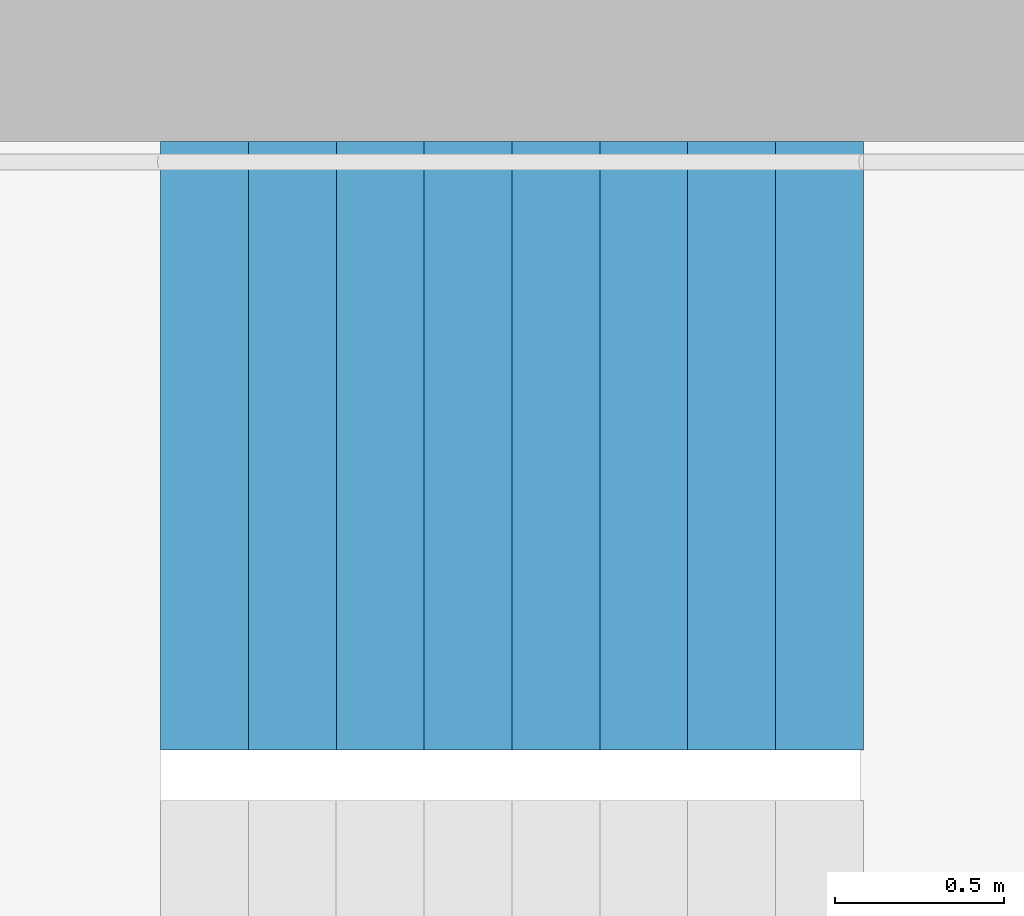
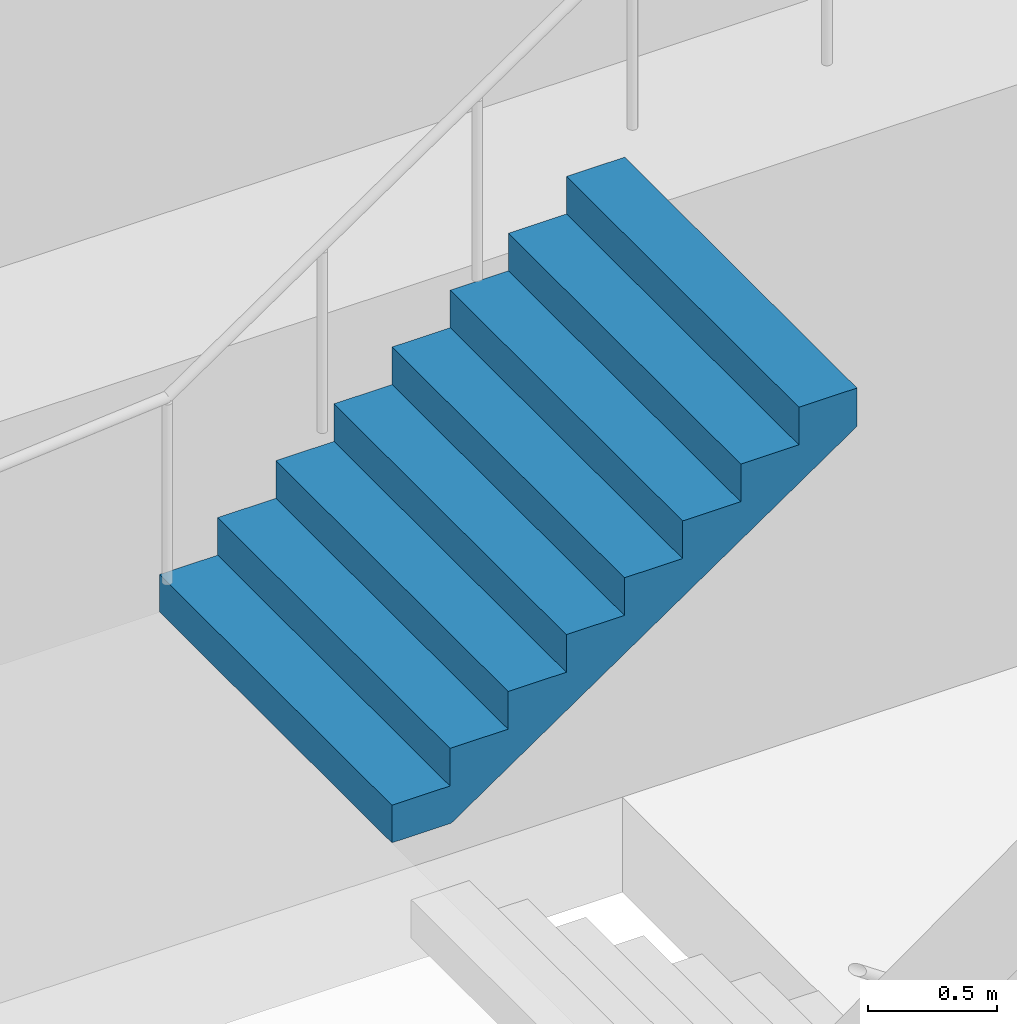
# One storey, part 25 of 26: 1 stair flight, 1 element without a shape of its own.
"""IFC4 building model written with IfcOpenShell, lengths in metres."""

import ifcopenshell
import ifcopenshell.guid

model = None  # the IFC model being written
_history = None  # IfcOwnerHistory: only IFC2X3 demands one
_inside = {}  # id of a spatial element -> (the spatial element, [elements in it])
_under = {}  # id of a project, library or spatial element -> (it, [spatial elements below it])
_declared = {}  # id of a project -> (the project, [libraries it declares])
_typed = {}  # id of a type object -> (the type object, [elements of that type])
_made_of = {}  # id of a material, layer set ... -> (it, [elements and type objects made of it])


def new_model(schema):
    """Start an empty IFC model of exactly this schema.

    Asked for "IFC4X3", IfcOpenShell would pick the latest addendum, in which some entities
    have other attributes; the version numbers below select the first issue.
    IFC2X3 requires an IfcOwnerHistory on every rooted entity: one is made here for all.
    """
    global model, _history
    if schema == "IFC4X3":
        model = ifcopenshell.file(schema_version=(4, 3, 0, 0))
    else:
        model = ifcopenshell.file(schema=schema)
    _inside.clear()
    _under.clear()
    _declared.clear()
    _typed.clear()
    _made_of.clear()
    _history = None
    if model.schema == "IFC2X3":
        org = make("IfcOrganization", Name="unknown")
        user = make(
            "IfcPersonAndOrganization",
            ThePerson=make("IfcPerson", FamilyName="unknown"),
            TheOrganization=org,
        )
        app = make(
            "IfcApplication",
            ApplicationDeveloper=org,
            Version="unknown",
            ApplicationFullName="unknown",
            ApplicationIdentifier="unknown",
        )
        _history = make(
            "IfcOwnerHistory",
            OwningUser=user,
            OwningApplication=app,
            ChangeAction="ADDED",
            CreationDate=0,
        )
    return model


def make(cls, **values):
    """One entity of the class cls with the attributes given. An attribute that is None is left unset."""
    return model.create_entity(
        cls, **{name: value for name, value in values.items() if value is not None}
    )


def rooted(cls, **values):
    """An entity with a GlobalId (a new one), such as an element, a storey or a relation."""
    return make(cls, GlobalId=ifcopenshell.guid.new(), OwnerHistory=_history, **values)


def si_unit(unit_type, name, prefix=None):
    """IfcSIUnit, for example si_unit("LENGTHUNIT", "METRE", prefix="MILLI")."""
    return make("IfcSIUnit", UnitType=unit_type, Prefix=prefix, Name=name)


def assignment(units):
    """IfcUnitAssignment: the units of a project."""
    return None if units is None else make("IfcUnitAssignment", Units=units)


def point(xyz):
    """IfcCartesianPoint."""
    return None if xyz is None else make("IfcCartesianPoint", Coordinates=xyz)


def direction(xyz):
    """IfcDirection."""
    return None if xyz is None else make("IfcDirection", DirectionRatios=xyz)


def frame(location, z_axis=None, x_axis=None):
    """IfcAxis2Placement3D, a coordinate frame: its origin and axes. An axis left out is left unset."""
    return make(
        "IfcAxis2Placement3D",
        Location=point(location),
        Axis=direction(z_axis),
        RefDirection=direction(x_axis),
    )


def origin():
    """The frame at (0, 0, 0) with its axes left unset."""
    return frame((0.0, 0.0, 0.0))


def place(relative_to, where):
    """IfcLocalPlacement: puts the frame where relative to a parent placement (None: the world)."""
    return make(
        "IfcLocalPlacement", PlacementRelTo=relative_to, RelativePlacement=where
    )


def context(
    kind, dimensions, precision=None, world=None, true_north=None, identifier=None
):
    """IfcGeometricRepresentationContext, for example the 3D "Model" context."""
    return make(
        "IfcGeometricRepresentationContext",
        ContextIdentifier=identifier,
        ContextType=kind,
        CoordinateSpaceDimension=dimensions,
        Precision=precision,
        WorldCoordinateSystem=world,
        TrueNorth=true_north,
    )


def subcontext(parent, identifier, kind, view, scale=None):
    """IfcGeometricRepresentationSubContext, for example "Body" below "Model"."""
    return make(
        "IfcGeometricRepresentationSubContext",
        ContextIdentifier=identifier,
        ContextType=kind,
        ParentContext=parent,
        TargetScale=scale,
        TargetView=view,
    )


def project(units=None, contexts=None):
    """IfcProject with its units and contexts."""
    return rooted(
        "IfcProject",
        Name="project",
        RepresentationContexts=contexts,
        UnitsInContext=assignment(units),
    )


def spatial(cls, under=None, at=None, **own):
    """A site, building, storey or space (cls), placed at a placement, below another one or the project."""
    s = rooted(cls, ObjectPlacement=at, **own)
    if under is not None:
        _under.setdefault(under.id(), (under, []))[1].append(s)
    return s


def point_list(points):
    """IfcCartesianPointList2D or 3D."""
    cls = (
        "IfcCartesianPointList2D" if len(points[0]) == 2 else "IfcCartesianPointList3D"
    )
    return make(cls, CoordList=points)


def triangles(points, corners, closed=None, point_numbers=None):
    """IfcTriangulatedFaceSet: each triangle names its three corners, points numbered from 1."""
    return make(
        "IfcTriangulatedFaceSet",
        Coordinates=point_list(points),
        Closed=closed,
        CoordIndex=corners,
        PnIndex=point_numbers,
    )


def shape(context_of_items, identifier, shape_type, items):
    """IfcShapeRepresentation: the items that make up one representation, for example the "Body"."""
    return make(
        "IfcShapeRepresentation",
        ContextOfItems=context_of_items,
        RepresentationIdentifier=identifier,
        RepresentationType=shape_type,
        Items=items,
    )


def material(Name=None, Category=None):
    """IfcMaterial."""
    return make("IfcMaterial", Name=Name, Category=Category)


def made_of(thing, what):
    """Note that an element or type object is made of a material, layer set ...; save() writes the relation."""
    if what is not None:
        _made_of.setdefault(what.id(), (what, []))[1].append(thing)
    return thing


def type_object(cls, material=None, **own):
    """A type object (cls), such as IfcWallType, which elements share."""
    return made_of(rooted(cls, **own), material)


def element(
    cls,
    number,
    at=None,
    inside=None,
    cuts=None,
    type_object=None,
    material=None,
    context=None,
    identifier="Body",
    shape_type=None,
    held_by="IfcProductDefinitionShape",
    body=None,
    shapes=None,
    **own,
):
    """One element of the class cls, such as IfcWall. Its Tag is "e" and its number.

    at: its placement. inside: the storey or other place that contains it. cuts: it is an
    opening in that element (IfcRelVoidsElement). A single representation is given by context,
    identifier, shape_type and body (its items); several are given by shapes. held_by: the class
    of the entity that holds the representations. save() writes the other relations.
    """
    e = rooted(cls, Tag="e%d" % number, ObjectPlacement=at, **own)
    if body is not None:
        shapes = [shape(context, identifier, shape_type, body)]
    if shapes is not None:
        e.Representation = make(held_by, Representations=shapes)
    if inside is not None:
        _inside.setdefault(inside.id(), (inside, []))[1].append(e)
    if cuts is not None:
        rooted(
            "IfcRelVoidsElement", RelatingBuildingElement=cuts, RelatedOpeningElement=e
        )
    if type_object is not None:
        _typed.setdefault(type_object.id(), (type_object, []))[1].append(e)
    return made_of(e, material)


def aggregate(whole, parts):
    """IfcRelAggregates: a whole, such as a stair, and the parts it consists of."""
    return rooted("IfcRelAggregates", RelatingObject=whole, RelatedObjects=parts)


def save(model, path):
    """Write the relations noted so far, then the file.

    IfcRelAggregates (storeys below a building ...), IfcRelContainedInSpatialStructure (elements
    in a storey), IfcRelDefinesByType, IfcRelAssociatesMaterial and IfcRelDeclares: one each for
    every whole, place, type object, material and project.
    """
    for whole, parts in _under.values():
        aggregate(whole, parts)
    for where, things in _inside.values():
        rooted(
            "IfcRelContainedInSpatialStructure",
            RelatedElements=things,
            RelatingStructure=where,
        )
    for kind, things in _typed.values():
        rooted("IfcRelDefinesByType", RelatedObjects=things, RelatingType=kind)
    for what, things in _made_of.values():
        rooted("IfcRelAssociatesMaterial", RelatedObjects=things, RelatingMaterial=what)
    for by, libraries in _declared.values():
        rooted("IfcRelDeclares", RelatingContext=by, RelatedDefinitions=libraries)
    model.write(path)


model = new_model("IFC4")

# Units and contexts
model_context = context("Model", 3, precision=1e-05, world=origin(), true_north=direction((0.0, 1.0)))
body_context = subcontext(model_context, "Body", "Model", "MODEL_VIEW")
ifc_project = project(units=[si_unit("LENGTHUNIT", "METRE"), si_unit("AREAUNIT", "SQUARE_METRE"), si_unit("VOLUMEUNIT", "CUBIC_METRE"), si_unit("PLANEANGLEUNIT", "RADIAN"), si_unit("MASSUNIT", "GRAM", prefix="KILO")], contexts=[model_context])

# Site, building, storey
site_placement = place(None, origin())
site = spatial("IfcSite", under=ifc_project, at=site_placement, CompositionType="ELEMENT")
building_placement = place(site_placement, origin())
building = spatial("IfcBuilding", under=site, at=building_placement, Name="Hakoniwa Tower and Hamabe Station Hall", CompositionType="ELEMENT")
storey_placement = place(building_placement, frame((0.0, 0.0, 189.800048828125)))
storey = spatial("IfcBuildingStorey", under=building, at=storey_placement, Name="L53", CompositionType="ELEMENT", Elevation=189.800048828125)

# Stair, stair flight
ifc_material_1 = material(Name="Concrete C40", Category="concrete")
stair_type = type_object("IfcStairType", Name="ESCAPE STAIR 1800", PredefinedType="HALF_TURN_STAIR", material=ifc_material_1)
stair_placement = place(storey_placement, origin())
stair = element("IfcStair", 1, at=stair_placement, inside=storey, type_object=stair_type, Name="Escape stair ST-3 L53", PredefinedType="HALF_TURN_STAIR")
ifc_material_2 = material(Name="Concrete C40", Category="concrete")
stair_flight_type = type_object("IfcStairFlightType", Name="STAIR FLIGHT 1800", PredefinedType="STRAIGHT", material=ifc_material_2)
stair_flight_placement = place(storey_placement, frame((22.320068359375, 6.60009765625, 1.599853515625), z_axis=(0.0, 0.0, 1.0), x_axis=(1.0, 0.0, 0.0)))
stair_flight = element("IfcStairFlight", 2, at=stair_flight_placement, type_object=stair_flight_type, Name="ST-3 flight 2", NumberOfRisers=9, NumberOfTreads=8, PredefinedType="STRAIGHT", RiserHeight=0.177777778, TreadLength=0.26, context=body_context, shape_type="Tessellation", body=[
    triangles([(0.0, 0.89990234375, 0.0), (0.260009765625, 0.89990234375, 0.0), (0.265625, 0.89990234375, 0.0), (0.52001953125, 0.89990234375, 0.174072265625), (0.780029296875, 0.89990234375, 0.351806640625), (1.0400390625, 0.89990234375, 0.529541015625), (1.300048828125, 0.89990234375, 0.707275390625), (1.56005859375, 0.89990234375, 0.885009765625), (1.820068359375, 0.89990234375, 1.062744140625), (2.080078125, 0.89990234375, 1.24072265625), (2.080078125, 0.89990234375, 1.422119140625), (1.820068359375, 0.89990234375, 1.422119140625), (1.820068359375, 0.89990234375, 1.244384765625), (1.56005859375, 0.89990234375, 1.244384765625), (1.56005859375, 0.89990234375, 1.066650390625), (1.300048828125, 0.89990234375, 1.066650390625), (1.300048828125, 0.89990234375, 0.888916015625), (1.0400390625, 0.89990234375, 0.888916015625), (1.0400390625, 0.89990234375, 0.711181640625), (0.780029296875, 0.89990234375, 0.711181640625), (0.780029296875, 0.89990234375, 0.533447265625), (0.52001953125, 0.89990234375, 0.533447265625), (0.52001953125, 0.89990234375, 0.35546875), (0.265625, 0.89990234375, 0.35546875), (0.260009765625, 0.89990234375, 0.35546875), (0.260009765625, 0.89990234375, 0.177734375), (0.0, 0.89990234375, 0.177734375), (0.0, 0.06005859375, 0.0), (0.260009765625, 0.06005859375, 0.0), (0.265625, 0.06005859375, 0.0), (0.52001953125, 0.06005859375, 0.174072265625), (0.780029296875, 0.06005859375, 0.351806640625), (1.0400390625, 0.06005859375, 0.529541015625), (1.300048828125, 0.06005859375, 0.707275390625), (1.56005859375, 0.06005859375, 0.885009765625), (1.820068359375, 0.06005859375, 1.062744140625), (2.080078125, 0.06005859375, 1.24072265625), (2.080078125, 0.06005859375, 1.422119140625), (1.820068359375, 0.06005859375, 1.422119140625), (1.820068359375, 0.06005859375, 1.244384765625), (1.56005859375, 0.06005859375, 1.244384765625), (1.56005859375, 0.06005859375, 1.066650390625), (1.300048828125, 0.06005859375, 1.066650390625), (1.300048828125, 0.06005859375, 0.888916015625), (1.0400390625, 0.06005859375, 0.888916015625), (1.0400390625, 0.06005859375, 0.711181640625), (0.780029296875, 0.06005859375, 0.711181640625), (0.780029296875, 0.06005859375, 0.533447265625), (0.52001953125, 0.06005859375, 0.533447265625), (0.52001953125, 0.06005859375, 0.35546875), (0.265625, 0.06005859375, 0.35546875), (0.260009765625, 0.06005859375, 0.35546875), (0.260009765625, 0.06005859375, 0.177734375), (0.0, 0.06005859375, 0.177734375), (0.0, 0.04296875, 0.0), (0.260009765625, 0.04296875, 0.0), (0.265625, 0.04296875, 0.0), (0.52001953125, 0.04296875, 0.174072265625), (0.780029296875, 0.04296875, 0.351806640625), (1.0400390625, 0.04296875, 0.529541015625), (1.300048828125, 0.04296875, 0.707275390625), (1.56005859375, 0.04296875, 0.885009765625), (1.820068359375, 0.04296875, 1.062744140625), (2.080078125, 0.04296875, 1.24072265625), (2.080078125, 0.04296875, 1.422119140625), (1.820068359375, 0.04296875, 1.422119140625), (1.820068359375, 0.04296875, 1.244384765625), (1.56005859375, 0.04296875, 1.244384765625), (1.56005859375, 0.04296875, 1.066650390625), (1.300048828125, 0.04296875, 1.066650390625), (1.300048828125, 0.04296875, 0.888916015625), (1.0400390625, 0.04296875, 0.888916015625), (1.0400390625, 0.04296875, 0.711181640625), (0.780029296875, 0.04296875, 0.711181640625), (0.780029296875, 0.04296875, 0.533447265625), (0.52001953125, 0.04296875, 0.533447265625), (0.52001953125, 0.04296875, 0.35546875), (0.265625, 0.04296875, 0.35546875), (0.260009765625, 0.04296875, 0.35546875), (0.260009765625, 0.04296875, 0.177734375), (0.0, 0.04296875, 0.177734375), (0.0, 0.025634765625, 0.0), (0.260009765625, 0.025634765625, 0.0), (0.265625, 0.025634765625, 0.0), (0.52001953125, 0.025634765625, 0.174072265625), (0.780029296875, 0.025634765625, 0.351806640625), (1.0400390625, 0.025634765625, 0.529541015625), (1.300048828125, 0.025634765625, 0.707275390625), (1.56005859375, 0.025634765625, 0.885009765625), (1.820068359375, 0.025634765625, 1.062744140625), (2.080078125, 0.025634765625, 1.24072265625), (2.080078125, 0.025634765625, 1.422119140625), (1.820068359375, 0.025634765625, 1.422119140625), (1.820068359375, 0.025634765625, 1.244384765625), (1.56005859375, 0.025634765625, 1.244384765625), (1.56005859375, 0.025634765625, 1.066650390625), (1.300048828125, 0.025634765625, 1.066650390625), (1.300048828125, 0.025634765625, 0.888916015625), (1.0400390625, 0.025634765625, 0.888916015625), (1.0400390625, 0.025634765625, 0.711181640625), (0.780029296875, 0.025634765625, 0.711181640625), (0.780029296875, 0.025634765625, 0.533447265625), (0.52001953125, 0.025634765625, 0.533447265625), (0.52001953125, 0.025634765625, 0.35546875), (0.265625, 0.025634765625, 0.35546875), (0.260009765625, 0.025634765625, 0.35546875), (0.260009765625, 0.025634765625, 0.177734375), (0.0, 0.025634765625, 0.177734375), (0.0, 0.008544921875, 0.0), (0.260009765625, 0.008544921875, 0.0), (0.265625, 0.008544921875, 0.0), (0.52001953125, 0.008544921875, 0.174072265625), (0.780029296875, 0.008544921875, 0.351806640625), (1.0400390625, 0.008544921875, 0.529541015625), (1.300048828125, 0.008544921875, 0.707275390625), (1.56005859375, 0.008544921875, 0.885009765625), (1.820068359375, 0.008544921875, 1.062744140625), (2.080078125, 0.008544921875, 1.24072265625), (2.080078125, 0.008544921875, 1.422119140625), (1.820068359375, 0.008544921875, 1.422119140625), (1.820068359375, 0.008544921875, 1.244384765625), (1.56005859375, 0.008544921875, 1.244384765625), (1.56005859375, 0.008544921875, 1.066650390625), (1.300048828125, 0.008544921875, 1.066650390625), (1.300048828125, 0.008544921875, 0.888916015625), (1.0400390625, 0.008544921875, 0.888916015625), (1.0400390625, 0.008544921875, 0.711181640625), (0.780029296875, 0.008544921875, 0.711181640625), (0.780029296875, 0.008544921875, 0.533447265625), (0.52001953125, 0.008544921875, 0.533447265625), (0.52001953125, 0.008544921875, 0.35546875), (0.265625, 0.008544921875, 0.35546875), (0.260009765625, 0.008544921875, 0.35546875), (0.260009765625, 0.008544921875, 0.177734375), (0.0, 0.008544921875, 0.177734375), (0.0, -0.008544921875, 0.0), (0.260009765625, -0.008544921875, 0.0), (0.265625, -0.008544921875, 0.0), (0.52001953125, -0.008544921875, 0.174072265625), (0.780029296875, -0.008544921875, 0.351806640625), (1.0400390625, -0.008544921875, 0.529541015625), (1.300048828125, -0.008544921875, 0.707275390625), (1.56005859375, -0.008544921875, 0.885009765625), (1.820068359375, -0.008544921875, 1.062744140625), (2.080078125, -0.008544921875, 1.24072265625), (2.080078125, -0.008544921875, 1.422119140625), (1.820068359375, -0.008544921875, 1.422119140625), (1.820068359375, -0.008544921875, 1.244384765625), (1.56005859375, -0.008544921875, 1.244384765625), (1.56005859375, -0.008544921875, 1.066650390625), (1.300048828125, -0.008544921875, 1.066650390625), (1.300048828125, -0.008544921875, 0.888916015625), (1.0400390625, -0.008544921875, 0.888916015625), (1.0400390625, -0.008544921875, 0.711181640625), (0.780029296875, -0.008544921875, 0.711181640625), (0.780029296875, -0.008544921875, 0.533447265625), (0.52001953125, -0.008544921875, 0.533447265625), (0.52001953125, -0.008544921875, 0.35546875), (0.265625, -0.008544921875, 0.35546875), (0.260009765625, -0.008544921875, 0.35546875), (0.260009765625, -0.008544921875, 0.177734375), (0.0, -0.008544921875, 0.177734375), (0.0, -0.025634765625, 0.0), (0.260009765625, -0.025634765625, 0.0), (0.265625, -0.025634765625, 0.0), (0.52001953125, -0.025634765625, 0.174072265625), (0.780029296875, -0.025634765625, 0.351806640625), (1.0400390625, -0.025634765625, 0.529541015625), (1.300048828125, -0.025634765625, 0.707275390625), (1.56005859375, -0.025634765625, 0.885009765625), (1.820068359375, -0.025634765625, 1.062744140625), (2.080078125, -0.025634765625, 1.24072265625), (2.080078125, -0.025634765625, 1.422119140625), (1.820068359375, -0.025634765625, 1.422119140625), (1.820068359375, -0.025634765625, 1.244384765625), (1.56005859375, -0.025634765625, 1.244384765625), (1.56005859375, -0.025634765625, 1.066650390625), (1.300048828125, -0.025634765625, 1.066650390625), (1.300048828125, -0.025634765625, 0.888916015625), (1.0400390625, -0.025634765625, 0.888916015625), (1.0400390625, -0.025634765625, 0.711181640625), (0.780029296875, -0.025634765625, 0.711181640625), (0.780029296875, -0.025634765625, 0.533447265625), (0.52001953125, -0.025634765625, 0.533447265625), (0.52001953125, -0.025634765625, 0.35546875), (0.265625, -0.025634765625, 0.35546875), (0.260009765625, -0.025634765625, 0.35546875), (0.260009765625, -0.025634765625, 0.177734375), (0.0, -0.025634765625, 0.177734375), (0.0, -0.04296875, 0.0), (0.260009765625, -0.04296875, 0.0), (0.265625, -0.04296875, 0.0), (0.52001953125, -0.04296875, 0.174072265625), (0.780029296875, -0.04296875, 0.351806640625), (1.0400390625, -0.04296875, 0.529541015625), (1.300048828125, -0.04296875, 0.707275390625), (1.56005859375, -0.04296875, 0.885009765625), (1.820068359375, -0.04296875, 1.062744140625), (2.080078125, -0.04296875, 1.24072265625), (2.080078125, -0.04296875, 1.422119140625), (1.820068359375, -0.04296875, 1.422119140625), (1.820068359375, -0.04296875, 1.244384765625), (1.56005859375, -0.04296875, 1.244384765625), (1.56005859375, -0.04296875, 1.066650390625), (1.300048828125, -0.04296875, 1.066650390625), (1.300048828125, -0.04296875, 0.888916015625), (1.0400390625, -0.04296875, 0.888916015625), (1.0400390625, -0.04296875, 0.711181640625), (0.780029296875, -0.04296875, 0.711181640625), (0.780029296875, -0.04296875, 0.533447265625), (0.52001953125, -0.04296875, 0.533447265625), (0.52001953125, -0.04296875, 0.35546875), (0.265625, -0.04296875, 0.35546875), (0.260009765625, -0.04296875, 0.35546875), (0.260009765625, -0.04296875, 0.177734375), (0.0, -0.04296875, 0.177734375), (0.0, -0.06005859375, 0.0), (0.260009765625, -0.06005859375, 0.0), (0.265625, -0.06005859375, 0.0), (0.52001953125, -0.06005859375, 0.174072265625), (0.780029296875, -0.06005859375, 0.351806640625), (1.0400390625, -0.06005859375, 0.529541015625), (1.300048828125, -0.06005859375, 0.707275390625), (1.56005859375, -0.06005859375, 0.885009765625), (1.820068359375, -0.06005859375, 1.062744140625), (2.080078125, -0.06005859375, 1.24072265625), (2.080078125, -0.06005859375, 1.422119140625), (1.820068359375, -0.06005859375, 1.422119140625), (1.820068359375, -0.06005859375, 1.244384765625), (1.56005859375, -0.06005859375, 1.244384765625), (1.56005859375, -0.06005859375, 1.066650390625), (1.300048828125, -0.06005859375, 1.066650390625), (1.300048828125, -0.06005859375, 0.888916015625), (1.0400390625, -0.06005859375, 0.888916015625), (1.0400390625, -0.06005859375, 0.711181640625), (0.780029296875, -0.06005859375, 0.711181640625), (0.780029296875, -0.06005859375, 0.533447265625), (0.52001953125, -0.06005859375, 0.533447265625), (0.52001953125, -0.06005859375, 0.35546875), (0.265625, -0.06005859375, 0.35546875), (0.260009765625, -0.06005859375, 0.35546875), (0.260009765625, -0.06005859375, 0.177734375), (0.0, -0.06005859375, 0.177734375), (0.0, -0.89990234375, 0.0), (0.260009765625, -0.89990234375, 0.0), (0.265625, -0.89990234375, 0.0), (0.52001953125, -0.89990234375, 0.174072265625), (0.780029296875, -0.89990234375, 0.351806640625), (1.0400390625, -0.89990234375, 0.529541015625), (1.300048828125, -0.89990234375, 0.707275390625), (1.56005859375, -0.89990234375, 0.885009765625), (1.820068359375, -0.89990234375, 1.062744140625), (2.080078125, -0.89990234375, 1.24072265625), (2.080078125, -0.89990234375, 1.422119140625), (1.820068359375, -0.89990234375, 1.422119140625), (1.820068359375, -0.89990234375, 1.244384765625), (1.56005859375, -0.89990234375, 1.244384765625), (1.56005859375, -0.89990234375, 1.066650390625), (1.300048828125, -0.89990234375, 1.066650390625), (1.300048828125, -0.89990234375, 0.888916015625), (1.0400390625, -0.89990234375, 0.888916015625), (1.0400390625, -0.89990234375, 0.711181640625), (0.780029296875, -0.89990234375, 0.711181640625), (0.780029296875, -0.89990234375, 0.533447265625), (0.52001953125, -0.89990234375, 0.533447265625), (0.52001953125, -0.89990234375, 0.35546875), (0.265625, -0.89990234375, 0.35546875), (0.260009765625, -0.89990234375, 0.35546875), (0.260009765625, -0.89990234375, 0.177734375), (0.0, -0.89990234375, 0.177734375)], [[2, 27, 26], [245, 269, 270], [2, 1, 27], [245, 270, 244], [3, 25, 24], [246, 267, 268], [3, 26, 25], [246, 268, 269], [3, 2, 26], [246, 269, 245], [4, 24, 23], [247, 266, 267], [4, 3, 24], [247, 267, 246], [5, 22, 21], [248, 264, 265], [5, 23, 22], [248, 265, 266], [5, 4, 23], [248, 266, 247], [6, 20, 19], [249, 262, 263], [6, 21, 20], [249, 263, 264], [6, 5, 21], [249, 264, 248], [7, 18, 17], [250, 260, 261], [7, 19, 18], [250, 261, 262], [7, 6, 19], [250, 262, 249], [8, 16, 15], [251, 258, 259], [8, 17, 16], [251, 259, 260], [8, 7, 17], [251, 260, 250], [9, 14, 13], [252, 256, 257], [9, 15, 14], [252, 257, 258], [9, 8, 15], [252, 258, 251], [10, 12, 11], [253, 254, 255], [10, 13, 12], [253, 255, 256], [10, 9, 13], [253, 256, 252], [1, 2, 29], [1, 29, 28], [28, 29, 56], [28, 56, 55], [55, 56, 83], [55, 83, 82], [82, 83, 110], [82, 110, 109], [109, 110, 137], [109, 137, 136], [136, 137, 164], [136, 164, 163], [163, 164, 191], [163, 191, 190], [190, 191, 218], [190, 218, 217], [217, 218, 245], [217, 245, 244], [2, 3, 30], [2, 30, 29], [29, 30, 57], [29, 57, 56], [56, 57, 84], [56, 84, 83], [83, 84, 111], [83, 111, 110], [110, 111, 138], [110, 138, 137], [137, 138, 165], [137, 165, 164], [164, 165, 192], [164, 192, 191], [191, 192, 219], [191, 219, 218], [218, 219, 246], [218, 246, 245], [3, 4, 31], [3, 31, 30], [30, 31, 58], [30, 58, 57], [57, 58, 85], [57, 85, 84], [84, 85, 112], [84, 112, 111], [111, 112, 139], [111, 139, 138], [138, 139, 166], [138, 166, 165], [165, 166, 193], [165, 193, 192], [192, 193, 220], [192, 220, 219], [219, 220, 247], [219, 247, 246], [4, 5, 32], [4, 32, 31], [31, 32, 59], [31, 59, 58], [58, 59, 86], [58, 86, 85], [85, 86, 113], [85, 113, 112], [112, 113, 140], [112, 140, 139], [139, 140, 167], [139, 167, 166], [166, 167, 194], [166, 194, 193], [193, 194, 221], [193, 221, 220], [220, 221, 248], [220, 248, 247], [5, 6, 33], [5, 33, 32], [32, 33, 60], [32, 60, 59], [59, 60, 87], [59, 87, 86], [86, 87, 114], [86, 114, 113], [113, 114, 141], [113, 141, 140], [140, 141, 168], [140, 168, 167], [167, 168, 195], [167, 195, 194], [194, 195, 222], [194, 222, 221], [221, 222, 249], [221, 249, 248], [6, 7, 34], [6, 34, 33], [33, 34, 61], [33, 61, 60], [60, 61, 88], [60, 88, 87], [87, 88, 115], [87, 115, 114], [114, 115, 142], [114, 142, 141], [141, 142, 169], [141, 169, 168], [168, 169, 196], [168, 196, 195], [195, 196, 223], [195, 223, 222], [222, 223, 250], [222, 250, 249], [7, 8, 35], [7, 35, 34], [34, 35, 62], [34, 62, 61], [61, 62, 89], [61, 89, 88], [88, 89, 116], [88, 116, 115], [115, 116, 143], [115, 143, 142], [142, 143, 170], [142, 170, 169], [169, 170, 197], [169, 197, 196], [196, 197, 224], [196, 224, 223], [223, 224, 251], [223, 251, 250], [8, 9, 36], [8, 36, 35], [35, 36, 63], [35, 63, 62], [62, 63, 90], [62, 90, 89], [89, 90, 117], [89, 117, 116], [116, 117, 144], [116, 144, 143], [143, 144, 171], [143, 171, 170], [170, 171, 198], [170, 198, 197], [197, 198, 225], [197, 225, 224], [224, 225, 252], [224, 252, 251], [9, 10, 37], [9, 37, 36], [36, 37, 64], [36, 64, 63], [63, 64, 91], [63, 91, 90], [90, 91, 118], [90, 118, 117], [117, 118, 145], [117, 145, 144], [144, 145, 172], [144, 172, 171], [171, 172, 199], [171, 199, 198], [198, 199, 226], [198, 226, 225], [225, 226, 253], [225, 253, 252], [10, 11, 38], [10, 38, 37], [37, 38, 65], [37, 65, 64], [64, 65, 92], [64, 92, 91], [91, 92, 119], [91, 119, 118], [118, 119, 146], [118, 146, 145], [145, 146, 173], [145, 173, 172], [172, 173, 200], [172, 200, 199], [199, 200, 227], [199, 227, 226], [226, 227, 254], [226, 254, 253], [11, 12, 39], [11, 39, 38], [38, 39, 66], [38, 66, 65], [65, 66, 93], [65, 93, 92], [92, 93, 120], [92, 120, 119], [119, 120, 147], [119, 147, 146], [146, 147, 174], [146, 174, 173], [173, 174, 201], [173, 201, 200], [200, 201, 228], [200, 228, 227], [227, 228, 255], [227, 255, 254], [12, 13, 40], [12, 40, 39], [39, 40, 67], [39, 67, 66], [66, 67, 94], [66, 94, 93], [93, 94, 121], [93, 121, 120], [120, 121, 148], [120, 148, 147], [147, 148, 175], [147, 175, 174], [174, 175, 202], [174, 202, 201], [201, 202, 229], [201, 229, 228], [228, 229, 256], [228, 256, 255], [13, 14, 41], [13, 41, 40], [40, 41, 68], [40, 68, 67], [67, 68, 95], [67, 95, 94], [94, 95, 122], [94, 122, 121], [121, 122, 149], [121, 149, 148], [148, 149, 176], [148, 176, 175], [175, 176, 203], [175, 203, 202], [202, 203, 230], [202, 230, 229], [229, 230, 257], [229, 257, 256], [14, 15, 42], [14, 42, 41], [41, 42, 69], [41, 69, 68], [68, 69, 96], [68, 96, 95], [95, 96, 123], [95, 123, 122], [122, 123, 150], [122, 150, 149], [149, 150, 177], [149, 177, 176], [176, 177, 204], [176, 204, 203], [203, 204, 231], [203, 231, 230], [230, 231, 258], [230, 258, 257], [15, 16, 43], [15, 43, 42], [42, 43, 70], [42, 70, 69], [69, 70, 97], [69, 97, 96], [96, 97, 124], [96, 124, 123], [123, 124, 151], [123, 151, 150], [150, 151, 178], [150, 178, 177], [177, 178, 205], [177, 205, 204], [204, 205, 232], [204, 232, 231], [231, 232, 259], [231, 259, 258], [16, 17, 44], [16, 44, 43], [43, 44, 71], [43, 71, 70], [70, 71, 98], [70, 98, 97], [97, 98, 125], [97, 125, 124], [124, 125, 152], [124, 152, 151], [151, 152, 179], [151, 179, 178], [178, 179, 206], [178, 206, 205], [205, 206, 233], [205, 233, 232], [232, 233, 260], [232, 260, 259], [17, 18, 45], [17, 45, 44], [44, 45, 72], [44, 72, 71], [71, 72, 99], [71, 99, 98], [98, 99, 126], [98, 126, 125], [125, 126, 153], [125, 153, 152], [152, 153, 180], [152, 180, 179], [179, 180, 207], [179, 207, 206], [206, 207, 234], [206, 234, 233], [233, 234, 261], [233, 261, 260], [18, 19, 46], [18, 46, 45], [45, 46, 73], [45, 73, 72], [72, 73, 100], [72, 100, 99], [99, 100, 127], [99, 127, 126], [126, 127, 154], [126, 154, 153], [153, 154, 181], [153, 181, 180], [180, 181, 208], [180, 208, 207], [207, 208, 235], [207, 235, 234], [234, 235, 262], [234, 262, 261], [19, 20, 47], [19, 47, 46], [46, 47, 74], [46, 74, 73], [73, 74, 101], [73, 101, 100], [100, 101, 128], [100, 128, 127], [127, 128, 155], [127, 155, 154], [154, 155, 182], [154, 182, 181], [181, 182, 209], [181, 209, 208], [208, 209, 236], [208, 236, 235], [235, 236, 263], [235, 263, 262], [20, 21, 48], [20, 48, 47], [47, 48, 75], [47, 75, 74], [74, 75, 102], [74, 102, 101], [101, 102, 129], [101, 129, 128], [128, 129, 156], [128, 156, 155], [155, 156, 183], [155, 183, 182], [182, 183, 210], [182, 210, 209], [209, 210, 237], [209, 237, 236], [236, 237, 264], [236, 264, 263], [21, 22, 49], [21, 49, 48], [48, 49, 76], [48, 76, 75], [75, 76, 103], [75, 103, 102], [102, 103, 130], [102, 130, 129], [129, 130, 157], [129, 157, 156], [156, 157, 184], [156, 184, 183], [183, 184, 211], [183, 211, 210], [210, 211, 238], [210, 238, 237], [237, 238, 265], [237, 265, 264], [22, 23, 50], [22, 50, 49], [49, 50, 77], [49, 77, 76], [76, 77, 104], [76, 104, 103], [103, 104, 131], [103, 131, 130], [130, 131, 158], [130, 158, 157], [157, 158, 185], [157, 185, 184], [184, 185, 212], [184, 212, 211], [211, 212, 239], [211, 239, 238], [238, 239, 266], [238, 266, 265], [23, 24, 51], [23, 51, 50], [50, 51, 78], [50, 78, 77], [77, 78, 105], [77, 105, 104], [104, 105, 132], [104, 132, 131], [131, 132, 159], [131, 159, 158], [158, 159, 186], [158, 186, 185], [185, 186, 213], [185, 213, 212], [212, 213, 240], [212, 240, 239], [239, 240, 267], [239, 267, 266], [24, 25, 52], [24, 52, 51], [51, 52, 79], [51, 79, 78], [78, 79, 106], [78, 106, 105], [105, 106, 133], [105, 133, 132], [132, 133, 160], [132, 160, 159], [159, 160, 187], [159, 187, 186], [186, 187, 214], [186, 214, 213], [213, 214, 241], [213, 241, 240], [240, 241, 268], [240, 268, 267], [25, 26, 53], [25, 53, 52], [52, 53, 80], [52, 80, 79], [79, 80, 107], [79, 107, 106], [106, 107, 134], [106, 134, 133], [133, 134, 161], [133, 161, 160], [160, 161, 188], [160, 188, 187], [187, 188, 215], [187, 215, 214], [214, 215, 242], [214, 242, 241], [241, 242, 269], [241, 269, 268], [26, 27, 54], [26, 54, 53], [53, 54, 81], [53, 81, 80], [80, 81, 108], [80, 108, 107], [107, 108, 135], [107, 135, 134], [134, 135, 162], [134, 162, 161], [161, 162, 189], [161, 189, 188], [188, 189, 216], [188, 216, 215], [215, 216, 243], [215, 243, 242], [242, 243, 270], [242, 270, 269], [27, 1, 28], [27, 28, 54], [54, 28, 55], [54, 55, 81], [81, 55, 82], [81, 82, 108], [108, 82, 109], [108, 109, 135], [135, 109, 136], [135, 136, 162], [162, 136, 163], [162, 163, 189], [189, 163, 190], [189, 190, 216], [216, 190, 217], [216, 217, 243], [243, 217, 244], [243, 244, 270]], closed=True),
])
aggregate(stair, [stair_flight])

save(model, "model.ifc")
